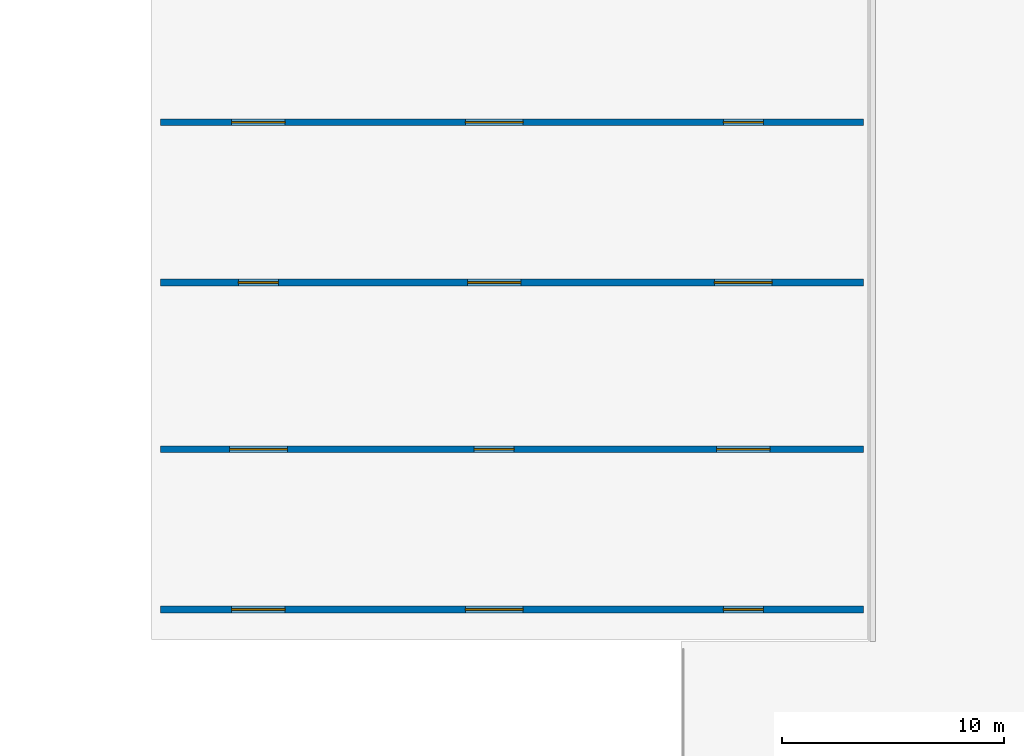
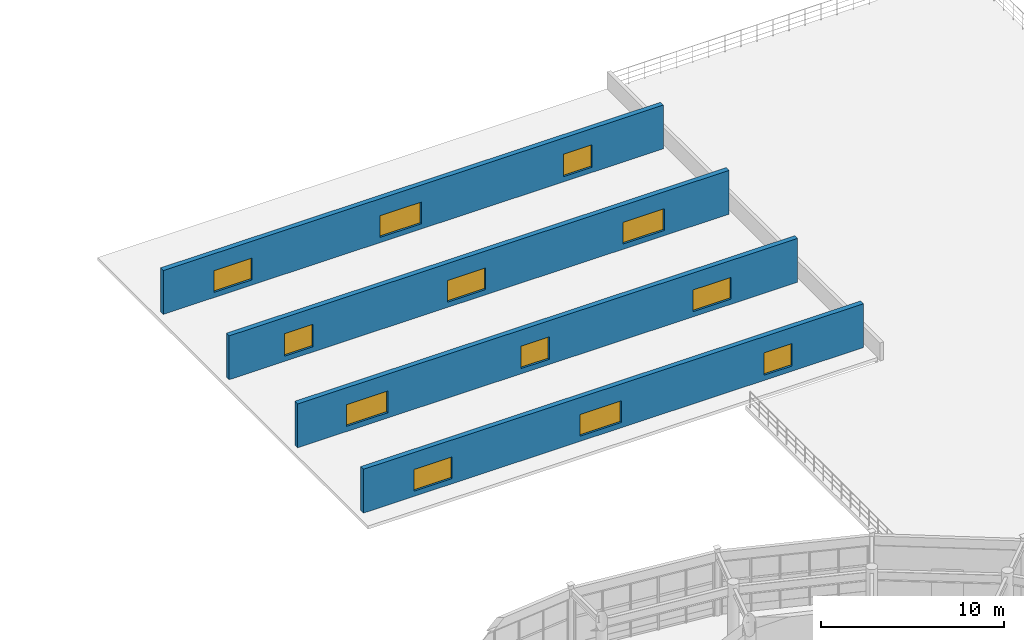
# One storey, part 44 of 60: 12 windows, 4 walls, 12 openings.
"""IFC4 building model written with IfcOpenShell, lengths in metres."""

from ifc_helpers import new_model, si_unit, direction, frame, frame_2d, origin, place, context, subcontext, project, spatial, rectangle, extrude, material, layer, layer_set, type_object, element, fill, save


model = new_model("IFC4")

# Units and contexts
model_context = context("Model", 3, precision=1e-05, world=origin(), true_north=direction((0.0, 1.0)))
body_context = subcontext(model_context, "Body", "Model", "MODEL_VIEW")
ifc_project = project(units=[si_unit("LENGTHUNIT", "METRE"), si_unit("AREAUNIT", "SQUARE_METRE"), si_unit("VOLUMEUNIT", "CUBIC_METRE"), si_unit("PLANEANGLEUNIT", "RADIAN"), si_unit("MASSUNIT", "GRAM", prefix="KILO")], contexts=[model_context])

# Site, building, storey
site_placement = place(None, origin())
site = spatial("IfcSite", under=ifc_project, at=site_placement, CompositionType="ELEMENT")
building_placement = place(site_placement, origin())
building = spatial("IfcBuilding", under=site, at=building_placement, Name="Cinderbank Siding Concert Hall", CompositionType="ELEMENT")
storey_placement = place(building_placement, frame((0.0, 0.0, 14.699951171875)))
storey = spatial("IfcBuildingStorey", under=building, at=storey_placement, Name="L04", CompositionType="ELEMENT", Elevation=14.699951171875)

# Wall, openings, windows
ifc_material_1 = material(Name="Clinker clay brickwork masonry AS 3700 (20 MPa)", Category="masonry")
ifc_layer = layer(ifc_material_1, 0.31005859375)
ifc_layer_set = layer_set([ifc_layer], Name="Clinker clay brickwork masonry AS 3700 (20 MPa)")
wall_type = type_object("IfcWallType", Name="WL-08 Exterior Wall 310mm", PredefinedType="STANDARD", material=ifc_layer_set)
wall_1_placement = place(storey_placement, frame((118.60009765625, 89.75, 0.219970703125), z_axis=(0.0, 0.0, 1.0), x_axis=(1.0, 0.0, 0.0)))
wall_1 = element("IfcWall", 1, at=wall_1_placement, inside=storey, type_object=wall_type, Name="L04 Sawtooth North-Light Clerestory Wall 1", PredefinedType="STANDARD", context=body_context, shape_type="SweptSolid", body=[
    extrude(rectangle(XDim=31.599853515625, YDim=0.31005859375, at=frame_2d((15.7998046875, 0.0))), origin(), (0.0, 0.0, 1.0), 2.93017578125),
])
opening_1_placement = place(wall_1_placement, frame((3.199951171875, 0.0, 0.35009765625)))
opening_1 = element("IfcOpeningElement", 2, at=opening_1_placement, cuts=wall_1, Name="Opening SK-04", PredefinedType="OPENING", context=body_context, shape_type="SweptSolid", body=[
    extrude(rectangle(XDim=2.39990234375, YDim=1.449951171875, at=frame_2d((1.199951171875, 0.72509765625))), frame((0.0, 0.1669921875, 0.0), z_axis=(0.0, -1.0, 0.0), x_axis=(1.0, 0.0, 0.0)), (0.0, 0.0, 1.0), 0.333984375),
])
opening_2_placement = place(wall_1_placement, frame((13.699951171875, 0.0, 0.35009765625)))
opening_2 = element("IfcOpeningElement", 3, at=opening_2_placement, cuts=wall_1, Name="Opening SK-02", PredefinedType="OPENING", context=body_context, shape_type="SweptSolid", body=[
    extrude(rectangle(XDim=2.60009765625, YDim=1.449951171875, at=frame_2d((1.300048828125, 0.72509765625))), frame((0.0, 0.1669921875, 0.0), z_axis=(0.0, -1.0, 0.0), x_axis=(1.0, 0.0, 0.0)), (0.0, 0.0, 1.0), 0.333984375),
])
opening_3_placement = place(wall_1_placement, frame((25.300048828125, 0.0, 0.35009765625)))
opening_3 = element("IfcOpeningElement", 4, at=opening_3_placement, cuts=wall_1, Name="Opening SK-03", PredefinedType="OPENING", context=body_context, shape_type="SweptSolid", body=[
    extrude(rectangle(XDim=1.800048828125, YDim=1.5, at=frame_2d((0.89990234375, 0.75))), frame((0.0, 0.1669921875, 0.0), z_axis=(0.0, -1.0, 0.0), x_axis=(1.0, 0.0, 0.0)), (0.0, 0.0, 1.0), 0.333984375),
])
ifc_material_2 = material(Name="Double-glazed laminated skylight acoustic glass", Category="glass")
window_type_1 = type_object("IfcWindowType", Name="SK-02 Acoustic Laminated Skylight 2600x1450", PartitioningType="SINGLE_PANEL", PredefinedType="SKYLIGHT", material=ifc_material_2)
window_1_placement = place(opening_2_placement, origin())
window_1 = element("IfcWindow", 5, at=window_1_placement, inside=storey, type_object=window_type_1, Name="Sawtooth North-Light Skylight 1-2", OverallHeight=1.449951171875, OverallWidth=2.60009765625, PartitioningType="SINGLE_PANEL", PredefinedType="SKYLIGHT", context=body_context, shape_type="SweptSolid", body=[
    extrude(rectangle(XDim=2.60009765625, YDim=1.449951171875, at=frame_2d((1.300048828125, 0.72509765625))), frame((0.0, 0.030029296875, 0.0), z_axis=(0.0, -1.0, 0.0), x_axis=(1.0, 0.0, 0.0)), (0.0, 0.0, 1.0), 0.06005859375),
])
fill(opening_2, window_1)
window_type_2 = type_object("IfcWindowType", Name="SK-03 Acoustic Laminated Skylight 1800x1500", PartitioningType="SINGLE_PANEL", PredefinedType="SKYLIGHT", material=ifc_material_2)
window_2_placement = place(opening_3_placement, origin())
window_2 = element("IfcWindow", 6, at=window_2_placement, inside=storey, type_object=window_type_2, Name="Sawtooth North-Light Skylight 1-3", OverallHeight=1.5, OverallWidth=1.800048828125, PartitioningType="SINGLE_PANEL", PredefinedType="SKYLIGHT", context=body_context, shape_type="SweptSolid", body=[
    extrude(rectangle(XDim=1.800048828125, YDim=1.5, at=frame_2d((0.89990234375, 0.75))), frame((0.0, 0.030029296875, 0.0), z_axis=(0.0, -1.0, 0.0), x_axis=(1.0, 0.0, 0.0)), (0.0, 0.0, 1.0), 0.06005859375),
])
fill(opening_3, window_2)
window_type_3 = type_object("IfcWindowType", Name="SK-04 Acoustic Laminated Skylight 2400x1450", PartitioningType="SINGLE_PANEL", PredefinedType="SKYLIGHT", material=ifc_material_2)
window_3_placement = place(opening_1_placement, origin())
window_3 = element("IfcWindow", 7, at=window_3_placement, inside=storey, type_object=window_type_3, Name="Sawtooth North-Light Skylight 1-1", OverallHeight=1.449951171875, OverallWidth=2.39990234375, PartitioningType="SINGLE_PANEL", PredefinedType="SKYLIGHT", context=body_context, shape_type="SweptSolid", body=[
    extrude(rectangle(XDim=2.39990234375, YDim=1.449951171875, at=frame_2d((1.199951171875, 0.72509765625))), frame((0.0, 0.030029296875, 0.0), z_axis=(0.0, -1.0, 0.0), x_axis=(1.0, 0.0, 0.0)), (0.0, 0.0, 1.0), 0.06005859375),
])
fill(opening_1, window_3)

wall_2_placement = place(storey_placement, frame((118.60009765625, 96.949951171875, 0.219970703125), z_axis=(0.0, 0.0, 1.0), x_axis=(1.0, 0.0, 0.0)))
wall_2 = element("IfcWall", 8, at=wall_2_placement, inside=storey, type_object=wall_type, Name="L04 Sawtooth North-Light Clerestory Wall 2", PredefinedType="STANDARD", context=body_context, shape_type="SweptSolid", body=[
    extrude(rectangle(XDim=31.599853515625, YDim=0.31005859375, at=frame_2d((15.7998046875, 0.0))), origin(), (0.0, 0.0, 1.0), 2.93017578125),
])
opening_4_placement = place(wall_2_placement, frame((3.10009765625, 0.0, 0.35009765625)))
opening_4 = element("IfcOpeningElement", 9, at=opening_4_placement, cuts=wall_2, Name="Opening SK-02", PredefinedType="OPENING", context=body_context, shape_type="SweptSolid", body=[
    extrude(rectangle(XDim=2.60009765625, YDim=1.449951171875, at=frame_2d((1.300048828125, 0.72509765625))), frame((0.0, 0.1669921875, 0.0), z_axis=(0.0, -1.0, 0.0), x_axis=(1.0, 0.0, 0.0)), (0.0, 0.0, 1.0), 0.333984375),
])
opening_5_placement = place(wall_2_placement, frame((14.10009765625, 0.0, 0.35009765625)))
opening_5 = element("IfcOpeningElement", 10, at=opening_5_placement, cuts=wall_2, Name="Opening SK-03", PredefinedType="OPENING", context=body_context, shape_type="SweptSolid", body=[
    extrude(rectangle(XDim=1.800048828125, YDim=1.5, at=frame_2d((0.89990234375, 0.75))), frame((0.0, 0.1669921875, 0.0), z_axis=(0.0, -1.0, 0.0), x_axis=(1.0, 0.0, 0.0)), (0.0, 0.0, 1.0), 0.333984375),
])
opening_6_placement = place(wall_2_placement, frame((25.0, 0.0, 0.35009765625)))
opening_6 = element("IfcOpeningElement", 11, at=opening_6_placement, cuts=wall_2, Name="Opening SK-04", PredefinedType="OPENING", context=body_context, shape_type="SweptSolid", body=[
    extrude(rectangle(XDim=2.39990234375, YDim=1.449951171875, at=frame_2d((1.199951171875, 0.72509765625))), frame((0.0, 0.1669921875, 0.0), z_axis=(0.0, -1.0, 0.0), x_axis=(1.0, 0.0, 0.0)), (0.0, 0.0, 1.0), 0.333984375),
])
window_4_placement = place(opening_4_placement, origin())
window_4 = element("IfcWindow", 12, at=window_4_placement, inside=storey, type_object=window_type_1, Name="Sawtooth North-Light Skylight 2-1", OverallHeight=1.449951171875, OverallWidth=2.60009765625, PartitioningType="SINGLE_PANEL", PredefinedType="SKYLIGHT", context=body_context, shape_type="SweptSolid", body=[
    extrude(rectangle(XDim=2.60009765625, YDim=1.449951171875, at=frame_2d((1.300048828125, 0.72509765625))), frame((0.0, 0.030029296875, 0.0), z_axis=(0.0, -1.0, 0.0), x_axis=(1.0, 0.0, 0.0)), (0.0, 0.0, 1.0), 0.06005859375),
])
fill(opening_4, window_4)
window_5_placement = place(opening_5_placement, origin())
window_5 = element("IfcWindow", 13, at=window_5_placement, inside=storey, type_object=window_type_2, Name="Sawtooth North-Light Skylight 2-2", OverallHeight=1.5, OverallWidth=1.800048828125, PartitioningType="SINGLE_PANEL", PredefinedType="SKYLIGHT", context=body_context, shape_type="SweptSolid", body=[
    extrude(rectangle(XDim=1.800048828125, YDim=1.5, at=frame_2d((0.89990234375, 0.75))), frame((0.0, 0.030029296875, 0.0), z_axis=(0.0, -1.0, 0.0), x_axis=(1.0, 0.0, 0.0)), (0.0, 0.0, 1.0), 0.06005859375),
])
fill(opening_5, window_5)
window_6_placement = place(opening_6_placement, origin())
window_6 = element("IfcWindow", 14, at=window_6_placement, inside=storey, type_object=window_type_3, Name="Sawtooth North-Light Skylight 2-3", OverallHeight=1.449951171875, OverallWidth=2.39990234375, PartitioningType="SINGLE_PANEL", PredefinedType="SKYLIGHT", context=body_context, shape_type="SweptSolid", body=[
    extrude(rectangle(XDim=2.39990234375, YDim=1.449951171875, at=frame_2d((1.199951171875, 0.72509765625))), frame((0.0, 0.030029296875, 0.0), z_axis=(0.0, -1.0, 0.0), x_axis=(1.0, 0.0, 0.0)), (0.0, 0.0, 1.0), 0.06005859375),
])
fill(opening_6, window_6)

wall_3_placement = place(storey_placement, frame((118.60009765625, 104.449951171875, 0.219970703125), z_axis=(0.0, 0.0, 1.0), x_axis=(1.0, 0.0, 0.0)))
wall_3 = element("IfcWall", 15, at=wall_3_placement, inside=storey, type_object=wall_type, Name="L04 Sawtooth North-Light Clerestory Wall 3", PredefinedType="STANDARD", context=body_context, shape_type="SweptSolid", body=[
    extrude(rectangle(XDim=31.599853515625, YDim=0.31005859375, at=frame_2d((15.7998046875, 0.0))), origin(), (0.0, 0.0, 1.0), 2.93017578125),
])
opening_7_placement = place(wall_3_placement, frame((3.5, 0.0, 0.35009765625)))
opening_7 = element("IfcOpeningElement", 16, at=opening_7_placement, cuts=wall_3, Name="Opening SK-03", PredefinedType="OPENING", context=body_context, shape_type="SweptSolid", body=[
    extrude(rectangle(XDim=1.800048828125, YDim=1.5, at=frame_2d((0.89990234375, 0.75))), frame((0.0, 0.1669921875, 0.0), z_axis=(0.0, -1.0, 0.0), x_axis=(1.0, 0.0, 0.0)), (0.0, 0.0, 1.0), 0.333984375),
])
opening_8_placement = place(wall_3_placement, frame((13.800048828125, 0.0, 0.35009765625)))
opening_8 = element("IfcOpeningElement", 17, at=opening_8_placement, cuts=wall_3, Name="Opening SK-04", PredefinedType="OPENING", context=body_context, shape_type="SweptSolid", body=[
    extrude(rectangle(XDim=2.39990234375, YDim=1.449951171875, at=frame_2d((1.199951171875, 0.72509765625))), frame((0.0, 0.1669921875, 0.0), z_axis=(0.0, -1.0, 0.0), x_axis=(1.0, 0.0, 0.0)), (0.0, 0.0, 1.0), 0.333984375),
])
opening_9_placement = place(wall_3_placement, frame((24.89990234375, 0.0, 0.35009765625)))
opening_9 = element("IfcOpeningElement", 18, at=opening_9_placement, cuts=wall_3, Name="Opening SK-02", PredefinedType="OPENING", context=body_context, shape_type="SweptSolid", body=[
    extrude(rectangle(XDim=2.60009765625, YDim=1.449951171875, at=frame_2d((1.300048828125, 0.72509765625))), frame((0.0, 0.1669921875, 0.0), z_axis=(0.0, -1.0, 0.0), x_axis=(1.0, 0.0, 0.0)), (0.0, 0.0, 1.0), 0.333984375),
])
window_7_placement = place(opening_9_placement, origin())
window_7 = element("IfcWindow", 19, at=window_7_placement, inside=storey, type_object=window_type_1, Name="Sawtooth North-Light Skylight 3-3", OverallHeight=1.449951171875, OverallWidth=2.60009765625, PartitioningType="SINGLE_PANEL", PredefinedType="SKYLIGHT", context=body_context, shape_type="SweptSolid", body=[
    extrude(rectangle(XDim=2.60009765625, YDim=1.449951171875, at=frame_2d((1.300048828125, 0.72509765625))), frame((0.0, 0.030029296875, 0.0), z_axis=(0.0, -1.0, 0.0), x_axis=(1.0, 0.0, 0.0)), (0.0, 0.0, 1.0), 0.06005859375),
])
fill(opening_9, window_7)
window_8_placement = place(opening_7_placement, origin())
window_8 = element("IfcWindow", 20, at=window_8_placement, inside=storey, type_object=window_type_2, Name="Sawtooth North-Light Skylight 3-1", OverallHeight=1.5, OverallWidth=1.800048828125, PartitioningType="SINGLE_PANEL", PredefinedType="SKYLIGHT", context=body_context, shape_type="SweptSolid", body=[
    extrude(rectangle(XDim=1.800048828125, YDim=1.5, at=frame_2d((0.89990234375, 0.75))), frame((0.0, 0.030029296875, 0.0), z_axis=(0.0, -1.0, 0.0), x_axis=(1.0, 0.0, 0.0)), (0.0, 0.0, 1.0), 0.06005859375),
])
fill(opening_7, window_8)
window_9_placement = place(opening_8_placement, origin())
window_9 = element("IfcWindow", 21, at=window_9_placement, inside=storey, type_object=window_type_3, Name="Sawtooth North-Light Skylight 3-2", OverallHeight=1.449951171875, OverallWidth=2.39990234375, PartitioningType="SINGLE_PANEL", PredefinedType="SKYLIGHT", context=body_context, shape_type="SweptSolid", body=[
    extrude(rectangle(XDim=2.39990234375, YDim=1.449951171875, at=frame_2d((1.199951171875, 0.72509765625))), frame((0.0, 0.030029296875, 0.0), z_axis=(0.0, -1.0, 0.0), x_axis=(1.0, 0.0, 0.0)), (0.0, 0.0, 1.0), 0.06005859375),
])
fill(opening_8, window_9)

wall_4_placement = place(storey_placement, frame((118.60009765625, 111.64990234375, 0.219970703125), z_axis=(0.0, 0.0, 1.0), x_axis=(1.0, 0.0, 0.0)))
wall_4 = element("IfcWall", 22, at=wall_4_placement, inside=storey, type_object=wall_type, Name="L04 Sawtooth North-Light Clerestory Wall 4", PredefinedType="STANDARD", context=body_context, shape_type="SweptSolid", body=[
    extrude(rectangle(XDim=31.599853515625, YDim=0.31005859375, at=frame_2d((15.7998046875, 0.0))), origin(), (0.0, 0.0, 1.0), 2.93017578125),
])
opening_10_placement = place(wall_4_placement, frame((3.199951171875, 0.0, 0.35009765625)))
opening_10 = element("IfcOpeningElement", 23, at=opening_10_placement, cuts=wall_4, Name="Opening SK-04", PredefinedType="OPENING", context=body_context, shape_type="SweptSolid", body=[
    extrude(rectangle(XDim=2.39990234375, YDim=1.449951171875, at=frame_2d((1.199951171875, 0.72509765625))), frame((0.0, 0.1669921875, 0.0), z_axis=(0.0, -1.0, 0.0), x_axis=(1.0, 0.0, 0.0)), (0.0, 0.0, 1.0), 0.333984375),
])
opening_11_placement = place(wall_4_placement, frame((13.699951171875, 0.0, 0.35009765625)))
opening_11 = element("IfcOpeningElement", 24, at=opening_11_placement, cuts=wall_4, Name="Opening SK-02", PredefinedType="OPENING", context=body_context, shape_type="SweptSolid", body=[
    extrude(rectangle(XDim=2.60009765625, YDim=1.449951171875, at=frame_2d((1.300048828125, 0.72509765625))), frame((0.0, 0.1669921875, 0.0), z_axis=(0.0, -1.0, 0.0), x_axis=(1.0, 0.0, 0.0)), (0.0, 0.0, 1.0), 0.333984375),
])
opening_12_placement = place(wall_4_placement, frame((25.300048828125, 0.0, 0.35009765625)))
opening_12 = element("IfcOpeningElement", 25, at=opening_12_placement, cuts=wall_4, Name="Opening SK-03", PredefinedType="OPENING", context=body_context, shape_type="SweptSolid", body=[
    extrude(rectangle(XDim=1.800048828125, YDim=1.5, at=frame_2d((0.89990234375, 0.75))), frame((0.0, 0.1669921875, 0.0), z_axis=(0.0, -1.0, 0.0), x_axis=(1.0, 0.0, 0.0)), (0.0, 0.0, 1.0), 0.333984375),
])
window_10_placement = place(opening_11_placement, origin())
window_10 = element("IfcWindow", 26, at=window_10_placement, inside=storey, type_object=window_type_1, Name="Sawtooth North-Light Skylight 4-2", OverallHeight=1.449951171875, OverallWidth=2.60009765625, PartitioningType="SINGLE_PANEL", PredefinedType="SKYLIGHT", context=body_context, shape_type="SweptSolid", body=[
    extrude(rectangle(XDim=2.60009765625, YDim=1.449951171875, at=frame_2d((1.300048828125, 0.72509765625))), frame((0.0, 0.030029296875, 0.0), z_axis=(0.0, -1.0, 0.0), x_axis=(1.0, 0.0, 0.0)), (0.0, 0.0, 1.0), 0.06005859375),
])
fill(opening_11, window_10)
window_11_placement = place(opening_12_placement, origin())
window_11 = element("IfcWindow", 27, at=window_11_placement, inside=storey, type_object=window_type_2, Name="Sawtooth North-Light Skylight 4-3", OverallHeight=1.5, OverallWidth=1.800048828125, PartitioningType="SINGLE_PANEL", PredefinedType="SKYLIGHT", context=body_context, shape_type="SweptSolid", body=[
    extrude(rectangle(XDim=1.800048828125, YDim=1.5, at=frame_2d((0.89990234375, 0.75))), frame((0.0, 0.030029296875, 0.0), z_axis=(0.0, -1.0, 0.0), x_axis=(1.0, 0.0, 0.0)), (0.0, 0.0, 1.0), 0.06005859375),
])
fill(opening_12, window_11)
window_12_placement = place(opening_10_placement, origin())
window_12 = element("IfcWindow", 28, at=window_12_placement, inside=storey, type_object=window_type_3, Name="Sawtooth North-Light Skylight 4-1", OverallHeight=1.449951171875, OverallWidth=2.39990234375, PartitioningType="SINGLE_PANEL", PredefinedType="SKYLIGHT", context=body_context, shape_type="SweptSolid", body=[
    extrude(rectangle(XDim=2.39990234375, YDim=1.449951171875, at=frame_2d((1.199951171875, 0.72509765625))), frame((0.0, 0.030029296875, 0.0), z_axis=(0.0, -1.0, 0.0), x_axis=(1.0, 0.0, 0.0)), (0.0, 0.0, 1.0), 0.06005859375),
])
fill(opening_10, window_12)

save(model, "model.ifc")
